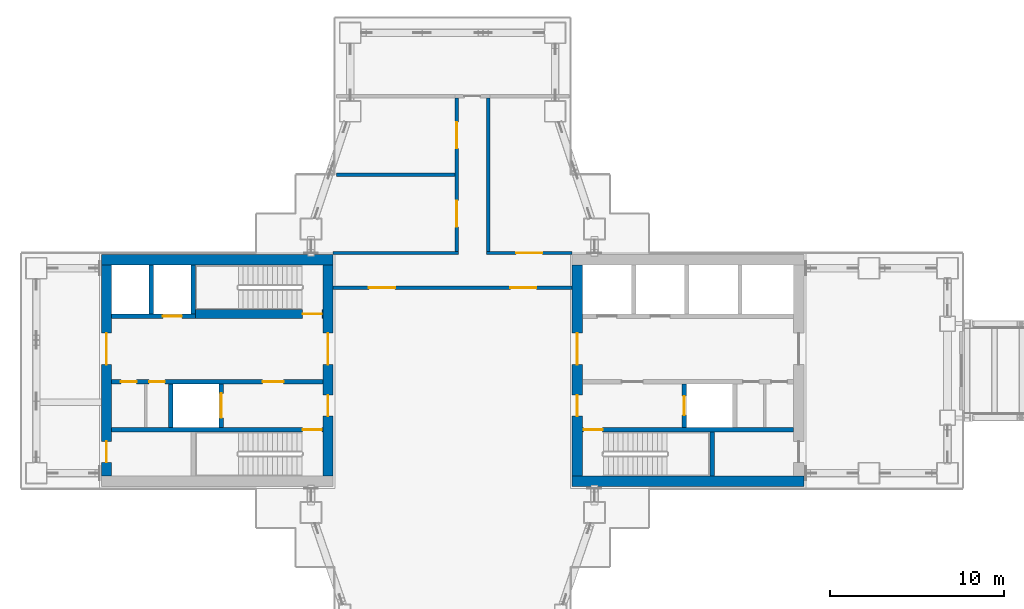
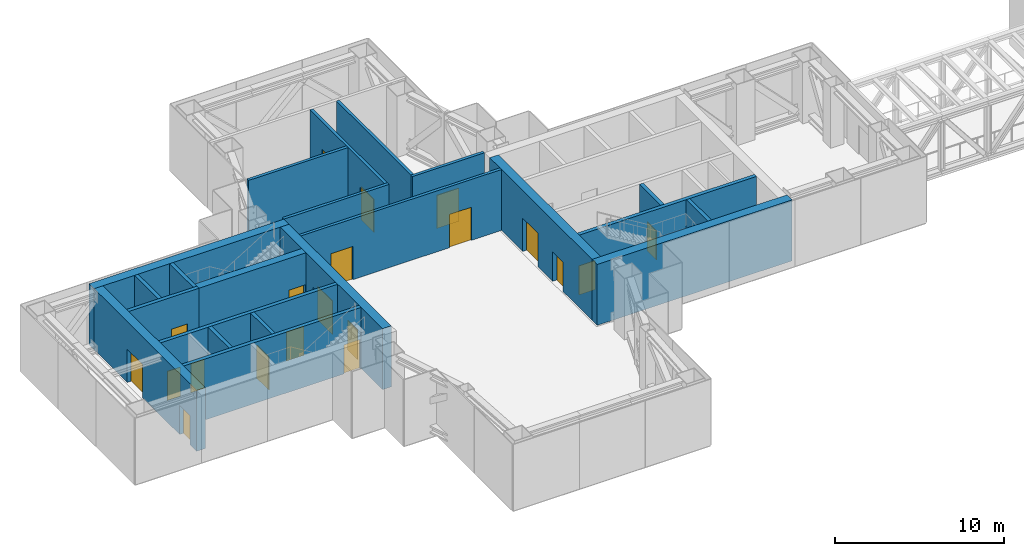
# One storey, part 10 of 21: 22 walls, 20 doors, 20 openings.
"""IFC4 building model written with IfcOpenShell, lengths in metres."""

from ifc_helpers import new_model, si_unit, direction, frame, frame_2d, origin, place, context, subcontext, project, spatial, rectangle, extrude, material, layer, layer_set, type_object, element, fill, save


model = new_model("IFC4")

# Units and contexts
model_context = context("Model", 3, precision=1e-05, world=origin(), true_north=direction((0.0, 1.0)))
body_context = subcontext(model_context, "Body", "Model", "MODEL_VIEW")
ifc_project = project(units=[si_unit("LENGTHUNIT", "METRE"), si_unit("AREAUNIT", "SQUARE_METRE"), si_unit("VOLUMEUNIT", "CUBIC_METRE"), si_unit("PLANEANGLEUNIT", "RADIAN"), si_unit("MASSUNIT", "GRAM", prefix="KILO")], contexts=[model_context])

# Site, building, storey
site_placement = place(None, origin())
site = spatial("IfcSite", under=ifc_project, at=site_placement, CompositionType="ELEMENT")
building_placement = place(site_placement, origin())
building = spatial("IfcBuilding", under=site, at=building_placement, Name="Shamsa Quay Exchange Towers", CompositionType="ELEMENT")
storey_placement = place(building_placement, frame((0.0, 0.0, 128.699951171875)))
storey = spatial("IfcBuildingStorey", under=building, at=storey_placement, Name="L30", CompositionType="ELEMENT", Elevation=128.699951171875)

# Wall
ifc_material_1 = material(Name="Concrete C70/85", Category="concrete")
ifc_layer_1 = layer(ifc_material_1, 0.60009765625)
ifc_layer_set_1 = layer_set([ifc_layer_1], Name="CORE WALL 600 C70/85")
wall_type_1 = type_object("IfcWallType", Name="CORE WALL 600 C70/85", PredefinedType="SHEAR", material=ifc_layer_set_1)
wall_1_placement = place(storey_placement, frame((-26.89990234375, -6.35009765625, 0.0)))
element("IfcWall", 1, at=wall_1_placement, inside=storey, type_object=wall_type_1, Name="Core wall T1A-L30-PS", PredefinedType="SHEAR", context=body_context, shape_type="SweptSolid", body=[
    extrude(rectangle(XDim=13.2998046875, YDim=0.60009765625, at=frame_2d((6.64990234375, 0.0))), origin(), (0.0, 0.0, 1.0), 4.400146484375),
])

# Wall, openings, doors
wall_2_placement = place(storey_placement, frame((-26.60009765625, 6.050048828125, 0.0), z_axis=(0.0, 0.0, 1.0), x_axis=(0.0, -1.0, 0.0)))
wall_2 = element("IfcWall", 2, at=wall_2_placement, inside=storey, type_object=wall_type_1, Name="Core wall T1A-L30-PF", PredefinedType="SHEAR", context=body_context, shape_type="SweptSolid", body=[
    extrude(rectangle(XDim=12.10009765625, YDim=0.60009765625, at=frame_2d((6.050048828125, 0.0))), origin(), (0.0, 0.0, 1.0), 4.400146484375),
])
opening_1_placement = place(wall_2_placement, frame((7.449951171875, 0.0, 0.0)))
opening_1 = element("IfcOpeningElement", 3, at=opening_1_placement, cuts=wall_2, Name="Opening T1A-L30-FD01", PredefinedType="OPENING", context=body_context, shape_type="SweptSolid", body=[
    extrude(rectangle(XDim=1.199951171875, YDim=2.10009765625, at=frame_2d((0.60009765625, 1.050048828125))), frame((0.0, 0.31005859375, 0.0), z_axis=(0.0, -1.0, 0.0), x_axis=(1.0, 0.0, 0.0)), (0.0, 0.0, 1.0), 0.6201171875),
])
opening_2_placement = place(wall_2_placement, frame((3.89990234375, 0.0, 0.0)))
opening_2 = element("IfcOpeningElement", 4, at=opening_2_placement, cuts=wall_2, Name="Opening T1A-L30-LBD02", PredefinedType="OPENING", context=body_context, shape_type="SweptSolid", body=[
    extrude(rectangle(XDim=1.800048828125, YDim=2.39990234375, at=frame_2d((0.89990234375, 1.199951171875))), frame((0.0, 0.31005859375, 0.0), z_axis=(0.0, -1.0, 0.0), x_axis=(1.0, 0.0, 0.0)), (0.0, 0.0, 1.0), 0.6201171875),
])
ifc_material_2 = material(Name="Steel, fire rated", Category="steel")
door_type_1 = type_object("IfcDoorType", Name="FIRE SERVICE LOBBY DOOR 1200", OperationType="SINGLE_SWING_LEFT", PredefinedType="DOOR", material=ifc_material_2)
door_1_placement = place(opening_1_placement, origin())
door_1 = element("IfcDoor", 5, at=door_1_placement, inside=storey, type_object=door_type_1, Name="T1A-L30-FD01", OperationType="SINGLE_SWING_RIGHT", OverallHeight=2.10009765625, OverallWidth=1.199951171875, PredefinedType="DOOR", context=body_context, shape_type="SweptSolid", body=[
    extrude(rectangle(XDim=1.199951171875, YDim=2.10009765625, at=frame_2d((0.60009765625, 1.050048828125))), frame((0.0, 0.02490234375, 0.0), z_axis=(0.0, -1.0, 0.0), x_axis=(1.0, 0.0, 0.0)), (0.0, 0.0, 1.0), 0.050048828125),
])
fill(opening_1, door_1)
door_type_2 = type_object("IfcDoorType", Name="LIFT LOBBY DOOR PAIR 1800", OperationType="DOUBLE_DOOR_SINGLE_SWING", PredefinedType="DOOR", material=ifc_material_2)
door_2_placement = place(opening_2_placement, origin())
door_2 = element("IfcDoor", 6, at=door_2_placement, inside=storey, type_object=door_type_2, Name="T1A-L30-LBD02", OperationType="DOUBLE_DOOR_SINGLE_SWING", OverallHeight=2.39990234375, OverallWidth=1.800048828125, PredefinedType="DOOR", context=body_context, shape_type="SweptSolid", body=[
    extrude(rectangle(XDim=1.800048828125, YDim=2.39990234375, at=frame_2d((0.89990234375, 1.199951171875))), frame((0.0, 0.02490234375, 0.0), z_axis=(0.0, -1.0, 0.0), x_axis=(1.0, 0.0, 0.0)), (0.0, 0.0, 1.0), 0.050048828125),
])
fill(opening_2, door_2)

# Wall
wall_3_placement = place(storey_placement, frame((-40.60009765625, 6.35009765625, 0.0), z_axis=(0.0, 0.0, 1.0), x_axis=(-1.0, 0.0, 0.0)))
element("IfcWall", 7, at=wall_3_placement, inside=storey, type_object=wall_type_1, Name="Core wall T1B-L30-PN", PredefinedType="SHEAR", context=body_context, shape_type="SweptSolid", body=[
    extrude(rectangle(XDim=13.2998046875, YDim=0.60009765625, at=frame_2d((6.64990234375, 0.0))), origin(), (0.0, 0.0, 1.0), 4.400146484375),
])

# Wall, openings, doors
wall_4_placement = place(storey_placement, frame((-40.89990234375, -6.050048828125, 0.0), z_axis=(0.0, 0.0, 1.0), x_axis=(0.0, 1.0, 0.0)))
wall_4 = element("IfcWall", 8, at=wall_4_placement, inside=storey, type_object=wall_type_1, Name="Core wall T1B-L30-PF", PredefinedType="SHEAR", context=body_context, shape_type="SweptSolid", body=[
    extrude(rectangle(XDim=12.10009765625, YDim=0.60009765625, at=frame_2d((6.050048828125, 0.0))), origin(), (0.0, 0.0, 1.0), 4.400146484375),
])
opening_3_placement = place(wall_4_placement, frame((3.449951171875, 0.0, 0.0)))
opening_3 = element("IfcOpeningElement", 9, at=opening_3_placement, cuts=wall_4, Name="Opening T1B-L30-FD01", PredefinedType="OPENING", context=body_context, shape_type="SweptSolid", body=[
    extrude(rectangle(XDim=1.199951171875, YDim=2.10009765625, at=frame_2d((0.60009765625, 1.050048828125))), frame((0.0, 0.31005859375, 0.0), z_axis=(0.0, -1.0, 0.0), x_axis=(1.0, 0.0, 0.0)), (0.0, 0.0, 1.0), 0.6201171875),
])
opening_4_placement = place(wall_4_placement, frame((6.39990234375, 0.0, 0.0)))
opening_4 = element("IfcOpeningElement", 10, at=opening_4_placement, cuts=wall_4, Name="Opening T1B-L30-LBD02", PredefinedType="OPENING", context=body_context, shape_type="SweptSolid", body=[
    extrude(rectangle(XDim=1.800048828125, YDim=2.39990234375, at=frame_2d((0.89990234375, 1.199951171875))), frame((0.0, 0.31005859375, 0.0), z_axis=(0.0, -1.0, 0.0), x_axis=(1.0, 0.0, 0.0)), (0.0, 0.0, 1.0), 0.6201171875),
])
door_3_placement = place(opening_3_placement, origin())
door_3 = element("IfcDoor", 11, at=door_3_placement, inside=storey, type_object=door_type_1, Name="T1B-L30-FD01", OperationType="SINGLE_SWING_LEFT", OverallHeight=2.10009765625, OverallWidth=1.199951171875, PredefinedType="DOOR", context=body_context, shape_type="SweptSolid", body=[
    extrude(rectangle(XDim=1.199951171875, YDim=2.10009765625, at=frame_2d((0.60009765625, 1.050048828125))), frame((0.0, 0.02490234375, 0.0), z_axis=(0.0, -1.0, 0.0), x_axis=(1.0, 0.0, 0.0)), (0.0, 0.0, 1.0), 0.050048828125),
])
fill(opening_3, door_3)
door_4_placement = place(opening_4_placement, origin())
door_4 = element("IfcDoor", 12, at=door_4_placement, inside=storey, type_object=door_type_2, Name="T1B-L30-LBD02", OperationType="DOUBLE_DOOR_SINGLE_SWING", OverallHeight=2.39990234375, OverallWidth=1.800048828125, PredefinedType="DOOR", context=body_context, shape_type="SweptSolid", body=[
    extrude(rectangle(XDim=1.800048828125, YDim=2.39990234375, at=frame_2d((0.89990234375, 1.199951171875))), frame((0.0, 0.02490234375, 0.0), z_axis=(0.0, -1.0, 0.0), x_axis=(1.0, 0.0, 0.0)), (0.0, 0.0, 1.0), 0.050048828125),
])
fill(opening_4, door_4)

wall_5_placement = place(storey_placement, frame((-53.60009765625, -6.050048828125, 0.0), z_axis=(0.0, 0.0, 1.0), x_axis=(0.0, 1.0, 0.0)))
wall_5 = element("IfcWall", 13, at=wall_5_placement, inside=storey, type_object=wall_type_1, Name="Core wall T1B-L30-PB", PredefinedType="SHEAR", context=body_context, shape_type="SweptSolid", body=[
    extrude(rectangle(XDim=12.10009765625, YDim=0.60009765625, at=frame_2d((6.050048828125, 0.0))), origin(), (0.0, 0.0, 1.0), 4.400146484375),
])
opening_5_placement = place(wall_5_placement, frame((0.800048828125, 0.0, 0.0)))
opening_5 = element("IfcOpeningElement", 14, at=opening_5_placement, cuts=wall_5, Name="Opening T1B-L30-RD03", PredefinedType="OPENING", context=body_context, shape_type="SweptSolid", body=[
    extrude(rectangle(XDim=1.199951171875, YDim=2.10009765625, at=frame_2d((0.60009765625, 1.050048828125))), frame((0.0, 0.31005859375, 0.0), z_axis=(0.0, -1.0, 0.0), x_axis=(1.0, 0.0, 0.0)), (0.0, 0.0, 1.0), 0.6201171875),
])
opening_6_placement = place(wall_5_placement, frame((6.39990234375, 0.0, 0.0)))
opening_6 = element("IfcOpeningElement", 15, at=opening_6_placement, cuts=wall_5, Name="Opening T1B-L30-LBD04", PredefinedType="OPENING", context=body_context, shape_type="SweptSolid", body=[
    extrude(rectangle(XDim=1.800048828125, YDim=2.39990234375, at=frame_2d((0.89990234375, 1.199951171875))), frame((0.0, 0.31005859375, 0.0), z_axis=(0.0, -1.0, 0.0), x_axis=(1.0, 0.0, 0.0)), (0.0, 0.0, 1.0), 0.6201171875),
])
door_5_placement = place(opening_6_placement, origin())
door_5 = element("IfcDoor", 16, at=door_5_placement, inside=storey, type_object=door_type_2, Name="T1B-L30-LBD04", OperationType="DOUBLE_DOOR_SINGLE_SWING", OverallHeight=2.39990234375, OverallWidth=1.800048828125, PredefinedType="DOOR", context=body_context, shape_type="SweptSolid", body=[
    extrude(rectangle(XDim=1.800048828125, YDim=2.39990234375, at=frame_2d((0.89990234375, 1.199951171875))), frame((0.0, 0.02490234375, 0.0), z_axis=(0.0, -1.0, 0.0), x_axis=(1.0, 0.0, 0.0)), (0.0, 0.0, 1.0), 0.050048828125),
])
fill(opening_6, door_5)
door_type_3 = type_object("IfcDoorType", Name="RISER ACCESS DOOR 1200", OperationType="SINGLE_SWING_LEFT", PredefinedType="DOOR", material=ifc_material_2)
door_6_placement = place(opening_5_placement, origin())
door_6 = element("IfcDoor", 17, at=door_6_placement, inside=storey, type_object=door_type_3, Name="T1B-L30-RD03", OperationType="SINGLE_SWING_LEFT", OverallHeight=2.10009765625, OverallWidth=1.199951171875, PredefinedType="DOOR", context=body_context, shape_type="SweptSolid", body=[
    extrude(rectangle(XDim=1.199951171875, YDim=2.10009765625, at=frame_2d((0.60009765625, 1.050048828125))), frame((0.0, 0.02490234375, 0.0), z_axis=(0.0, -1.0, 0.0), x_axis=(1.0, 0.0, 0.0)), (0.0, 0.0, 1.0), 0.050048828125),
])
fill(opening_5, door_6)

ifc_material_3 = material(Name="Gypsum board partition on metal studs")
ifc_layer_2 = layer(ifc_material_3, 0.199951171875)
ifc_layer_set_2 = layer_set([ifc_layer_2], Name="Partition 200 mm EI 120")
wall_type_2 = type_object("IfcWallType", Name="Partition 200 mm EI 120", PredefinedType="PARTITIONING", material=ifc_layer_set_2)
wall_6_placement = place(storey_placement, frame((-40.60009765625, 4.75, 0.0)))
wall_6 = element("IfcWall", 18, at=wall_6_placement, inside=storey, type_object=wall_type_2, Name="Partition T1-L30-W01", PredefinedType="PARTITIONING", context=body_context, shape_type="SweptSolid", body=[
    extrude(rectangle(XDim=13.7001953125, YDim=0.199951171875, at=frame_2d((6.85009765625, 0.0))), origin(), (0.0, 0.0, 1.0), 4.400146484375),
])
opening_7_placement = place(wall_6_placement, frame((2.050048828125, 0.0, 0.0)))
opening_7 = element("IfcOpeningElement", 19, at=opening_7_placement, cuts=wall_6, Name="Opening T1-L30-D01", PredefinedType="OPENING", context=body_context, shape_type="SweptSolid", body=[
    extrude(rectangle(XDim=1.5, YDim=2.39990234375, at=frame_2d((0.75, 1.199951171875))), frame((0.0, 0.10986328125, 0.0), z_axis=(0.0, -1.0, 0.0), x_axis=(1.0, 0.0, 0.0)), (0.0, 0.0, 1.0), 0.219970703125),
])
opening_8_placement = place(wall_6_placement, frame((10.14990234375, 0.0, 0.0)))
opening_8 = element("IfcOpeningElement", 20, at=opening_8_placement, cuts=wall_6, Name="Opening T1-L30-D02", PredefinedType="OPENING", context=body_context, shape_type="SweptSolid", body=[
    extrude(rectangle(XDim=1.5, YDim=2.39990234375, at=frame_2d((0.75, 1.199951171875))), frame((0.0, 0.10986328125, 0.0), z_axis=(0.0, -1.0, 0.0), x_axis=(1.0, 0.0, 0.0)), (0.0, 0.0, 1.0), 0.219970703125),
])
ifc_material_4 = material(Name="Timber door leaf in a metal frame", Category="wood")
door_type_4 = type_object("IfcDoorType", Name="Door 1500x2400 FD60 pair", OperationType="NOTDEFINED", PredefinedType="DOOR", material=ifc_material_4)
door_7_placement = place(opening_7_placement, origin())
door_7 = element("IfcDoor", 21, at=door_7_placement, inside=storey, type_object=door_type_4, Name="Door T1-L30-D01", OperationType="DOUBLE_DOOR_SINGLE_SWING", OverallHeight=2.39990234375, OverallWidth=1.5, PredefinedType="DOOR", context=body_context, shape_type="SweptSolid", body=[
    extrude(rectangle(XDim=1.5, YDim=2.39990234375, at=frame_2d((0.75, 1.199951171875))), frame((0.0, 0.02490234375, 0.0), z_axis=(0.0, -1.0, 0.0), x_axis=(1.0, 0.0, 0.0)), (0.0, 0.0, 1.0), 0.050048828125),
])
fill(opening_7, door_7)
door_8_placement = place(opening_8_placement, origin())
door_8 = element("IfcDoor", 22, at=door_8_placement, inside=storey, type_object=door_type_4, Name="Door T1-L30-D02", OperationType="DOUBLE_DOOR_SINGLE_SWING", OverallHeight=2.39990234375, OverallWidth=1.5, PredefinedType="DOOR", context=body_context, shape_type="SweptSolid", body=[
    extrude(rectangle(XDim=1.5, YDim=2.39990234375, at=frame_2d((0.75, 1.199951171875))), frame((0.0, 0.02490234375, 0.0), z_axis=(0.0, -1.0, 0.0), x_axis=(1.0, 0.0, 0.0)), (0.0, 0.0, 1.0), 0.050048828125),
])
fill(opening_8, door_8)

# Walls
wall_7_placement = place(storey_placement, frame((-31.724609375, 15.64990234375, 0.0), z_axis=(0.0, 0.0, 1.0), x_axis=(0.0, -1.0, 0.0)))
element("IfcWall", 23, at=wall_7_placement, inside=storey, type_object=wall_type_2, Name="Partition T1-L30-W02", PredefinedType="PARTITIONING", context=body_context, shape_type="SweptSolid", body=[
    extrude(rectangle(XDim=8.7998046875, YDim=0.199951171875, at=frame_2d((4.39990234375, 0.0))), origin(), (0.0, 0.0, 1.0), 4.400146484375),
])
wall_8_placement = place(storey_placement, frame((-40.60009765625, 6.75, 0.0)))
element("IfcWall", 24, at=wall_8_placement, inside=storey, type_object=wall_type_2, Name="Partition T1-L30-W03", PredefinedType="PARTITIONING", context=body_context, shape_type="SweptSolid", body=[
    extrude(rectangle(XDim=7.1748046875, YDim=0.199951171875, at=frame_2d((3.58740234375, 0.0))), origin(), (0.0, 0.0, 1.0), 4.400146484375),
])

# Wall, opening, door
wall_9_placement = place(storey_placement, frame((-31.82470703125, 6.75, 0.0)))
wall_9 = element("IfcWall", 25, at=wall_9_placement, inside=storey, type_object=wall_type_2, Name="Partition T1-L30-W04", PredefinedType="PARTITIONING", context=body_context, shape_type="SweptSolid", body=[
    extrude(rectangle(XDim=4.9248046875, YDim=0.199951171875, at=frame_2d((2.46240234375, 0.0))), origin(), (0.0, 0.0, 1.0), 4.400146484375),
])
opening_9_placement = place(wall_9_placement, frame((1.71240234375, 0.0, 0.0)))
opening_9 = element("IfcOpeningElement", 26, at=opening_9_placement, cuts=wall_9, Name="Opening T1-L30-D06", PredefinedType="OPENING", context=body_context, shape_type="SweptSolid", body=[
    extrude(rectangle(XDim=1.5, YDim=2.39990234375, at=frame_2d((0.75, 1.199951171875))), frame((0.0, 0.10986328125, 0.0), z_axis=(0.0, -1.0, 0.0), x_axis=(1.0, 0.0, 0.0)), (0.0, 0.0, 1.0), 0.219970703125),
])
door_9_placement = place(opening_9_placement, origin())
door_9 = element("IfcDoor", 27, at=door_9_placement, inside=storey, type_object=door_type_4, Name="Door T1-L30-D06", OperationType="DOUBLE_DOOR_SINGLE_SWING", OverallHeight=2.39990234375, OverallWidth=1.5, PredefinedType="DOOR", context=body_context, shape_type="SweptSolid", body=[
    extrude(rectangle(XDim=1.5, YDim=2.39990234375, at=frame_2d((0.75, 1.199951171875))), frame((0.0, 0.02490234375, 0.0), z_axis=(0.0, -1.0, 0.0), x_axis=(1.0, 0.0, 0.0)), (0.0, 0.0, 1.0), 0.050048828125),
])
fill(opening_9, door_9)

# Wall, openings, doors
wall_10_placement = place(storey_placement, frame((-33.525390625, 6.85009765625, 0.0), z_axis=(0.0, 0.0, 1.0), x_axis=(0.0, 1.0, 0.0)))
wall_10 = element("IfcWall", 28, at=wall_10_placement, inside=storey, type_object=wall_type_2, Name="Partition T1-L30-W05", PredefinedType="PARTITIONING", context=body_context, shape_type="SweptSolid", body=[
    extrude(rectangle(XDim=8.7998046875, YDim=0.199951171875, at=frame_2d((4.39990234375, 0.0))), origin(), (0.0, 0.0, 1.0), 4.400146484375),
])
opening_10_placement = place(wall_10_placement, frame((1.39990234375, 0.0, 0.0)))
opening_10 = element("IfcOpeningElement", 29, at=opening_10_placement, cuts=wall_10, Name="Opening T1-L30-D03", PredefinedType="OPENING", context=body_context, shape_type="SweptSolid", body=[
    extrude(rectangle(XDim=1.5, YDim=2.39990234375, at=frame_2d((0.75, 1.199951171875))), frame((0.0, 0.10986328125, 0.0), z_axis=(0.0, -1.0, 0.0), x_axis=(1.0, 0.0, 0.0)), (0.0, 0.0, 1.0), 0.219970703125),
])
opening_11_placement = place(wall_10_placement, frame((5.89990234375, 0.0, 0.0)))
opening_11 = element("IfcOpeningElement", 30, at=opening_11_placement, cuts=wall_10, Name="Opening T1-L30-D04", PredefinedType="OPENING", context=body_context, shape_type="SweptSolid", body=[
    extrude(rectangle(XDim=1.5, YDim=2.39990234375, at=frame_2d((0.75, 1.199951171875))), frame((0.0, 0.10986328125, 0.0), z_axis=(0.0, -1.0, 0.0), x_axis=(1.0, 0.0, 0.0)), (0.0, 0.0, 1.0), 0.219970703125),
])
door_10_placement = place(opening_10_placement, origin())
door_10 = element("IfcDoor", 31, at=door_10_placement, inside=storey, type_object=door_type_4, Name="Door T1-L30-D03", OperationType="DOUBLE_DOOR_SINGLE_SWING", OverallHeight=2.39990234375, OverallWidth=1.5, PredefinedType="DOOR", context=body_context, shape_type="SweptSolid", body=[
    extrude(rectangle(XDim=1.5, YDim=2.39990234375, at=frame_2d((0.75, 1.199951171875))), frame((0.0, 0.02490234375, 0.0), z_axis=(0.0, -1.0, 0.0), x_axis=(1.0, 0.0, 0.0)), (0.0, 0.0, 1.0), 0.050048828125),
])
fill(opening_10, door_10)
door_11_placement = place(opening_11_placement, origin())
door_11 = element("IfcDoor", 32, at=door_11_placement, inside=storey, type_object=door_type_4, Name="Door T1-L30-D04", OperationType="DOUBLE_DOOR_SINGLE_SWING", OverallHeight=2.39990234375, OverallWidth=1.5, PredefinedType="DOOR", context=body_context, shape_type="SweptSolid", body=[
    extrude(rectangle(XDim=1.5, YDim=2.39990234375, at=frame_2d((0.75, 1.199951171875))), frame((0.0, 0.02490234375, 0.0), z_axis=(0.0, -1.0, 0.0), x_axis=(1.0, 0.0, 0.0)), (0.0, 0.0, 1.0), 0.050048828125),
])
fill(opening_11, door_11)

# Wall
wall_11_placement = place(storey_placement, frame((-33.62548828125, 11.25, 0.0), z_axis=(0.0, 0.0, 1.0), x_axis=(-1.0, 0.0, 0.0)))
element("IfcWall", 33, at=wall_11_placement, inside=storey, type_object=wall_type_2, Name="Partition T1-L30-W09", PredefinedType="PARTITIONING", context=body_context, shape_type="SweptSolid", body=[
    extrude(rectangle(XDim=6.779541015625, YDim=0.199951171875, at=frame_2d((3.3896484375, 0.0))), origin(), (0.0, 0.0, 1.0), 4.400146484375),
])

# Wall, opening, door
ifc_material_5 = material(Name="Concrete C50/60", Category="concrete")
ifc_layer_3 = layer(ifc_material_5, 0.25)
ifc_layer_set_3 = layer_set([ifc_layer_3], Name="SHAFT WALL 250 C50/60")
wall_type_3 = type_object("IfcWallType", Name="SHAFT WALL 250 C50/60", PredefinedType="SHEAR", material=ifc_layer_set_3)
wall_12_placement = place(storey_placement, frame((-14.199951171875, -3.375, 0.0), z_axis=(0.0, 0.0, 1.0), x_axis=(-1.0, 0.0, 0.0)))
wall_12 = element("IfcWall", 34, at=wall_12_placement, inside=storey, type_object=wall_type_3, Name="Shaft wall T1A-L30-STL", PredefinedType="SHEAR", context=body_context, shape_type="SweptSolid", body=[
    extrude(rectangle(XDim=12.10009765625, YDim=0.25, at=frame_2d((6.050048828125, 0.0))), origin(), (0.0, 0.0, 1.0), 4.400146484375),
])
opening_12_placement = place(wall_12_placement, frame((10.949951171875, 0.0, 0.0)))
opening_12 = element("IfcOpeningElement", 35, at=opening_12_placement, cuts=wall_12, Name="Opening T1A-L30-SD05", PredefinedType="OPENING", context=body_context, shape_type="SweptSolid", body=[
    extrude(rectangle(XDim=1.10009765625, YDim=2.10009765625, at=frame_2d((0.550048828125, 1.050048828125))), frame((0.0, 0.135009765625, 0.0), z_axis=(0.0, -1.0, 0.0), x_axis=(1.0, 0.0, 0.0)), (0.0, 0.0, 1.0), 0.27001953125),
])
door_type_5 = type_object("IfcDoorType", Name="STAIR DOOR 1100", OperationType="SINGLE_SWING_LEFT", PredefinedType="DOOR", material=ifc_material_2)
door_12_placement = place(opening_12_placement, origin())
door_12 = element("IfcDoor", 36, at=door_12_placement, inside=storey, type_object=door_type_5, Name="T1A-L30-SD05", OperationType="SINGLE_SWING_RIGHT", OverallHeight=2.10009765625, OverallWidth=1.10009765625, PredefinedType="DOOR", context=body_context, shape_type="SweptSolid", body=[
    extrude(rectangle(XDim=1.10009765625, YDim=2.10009765625, at=frame_2d((0.550048828125, 1.050048828125))), frame((0.0, 0.02490234375, 0.0), z_axis=(0.0, -1.0, 0.0), x_axis=(1.0, 0.0, 0.0)), (0.0, 0.0, 1.0), 0.050048828125),
])
fill(opening_12, door_12)

# Wall
wall_13_placement = place(storey_placement, frame((-18.875, -6.050048828125, 0.0), z_axis=(0.0, 0.0, 1.0), x_axis=(0.0, 1.0, 0.0)))
element("IfcWall", 37, at=wall_13_placement, inside=storey, type_object=wall_type_3, Name="Shaft wall T1A-L30-STF", PredefinedType="SHEAR", context=body_context, shape_type="SweptSolid", body=[
    extrude(rectangle(XDim=2.550048828125, YDim=0.25, at=frame_2d((1.27490234375, 0.0))), origin(), (0.0, 0.0, 1.0), 4.400146484375),
])

# Wall, opening, door
wall_14_placement = place(storey_placement, frame((-20.47509765625, -3.25, 0.0), z_axis=(0.0, 0.0, 1.0), x_axis=(0.0, 1.0, 0.0)))
wall_14 = element("IfcWall", 38, at=wall_14_placement, inside=storey, type_object=wall_type_3, Name="Shaft wall T1A-L30-FFF", PredefinedType="SHEAR", context=body_context, shape_type="SweptSolid", body=[
    extrude(rectangle(XDim=2.5, YDim=0.25, at=frame_2d((1.25, 0.0))), origin(), (0.0, 0.0, 1.0), 4.400146484375),
])
opening_13_placement = place(wall_14_placement, frame((0.699951171875, 0.0, 0.0)))
opening_13 = element("IfcOpeningElement", 39, at=opening_13_placement, cuts=wall_14, Name="Opening T1A-L30-LDF09", PredefinedType="OPENING", context=body_context, shape_type="SweptSolid", body=[
    extrude(rectangle(XDim=1.10009765625, YDim=2.10009765625, at=frame_2d((0.550048828125, 1.050048828125))), frame((0.0, 0.135009765625, 0.0), z_axis=(0.0, -1.0, 0.0), x_axis=(1.0, 0.0, 0.0)), (0.0, 0.0, 1.0), 0.27001953125),
])
door_type_6 = type_object("IfcDoorType", Name="FIRE SERVICE LANDING DOOR 1100", OperationType="SLIDING_TO_LEFT", PredefinedType="DOOR", material=ifc_material_2)
door_13_placement = place(opening_13_placement, origin())
door_13 = element("IfcDoor", 40, at=door_13_placement, inside=storey, type_object=door_type_6, Name="T1A-L30-LDF09", OperationType="SLIDING_TO_LEFT", OverallHeight=2.10009765625, OverallWidth=1.10009765625, PredefinedType="DOOR", context=body_context, shape_type="SweptSolid", body=[
    extrude(rectangle(XDim=1.10009765625, YDim=2.10009765625, at=frame_2d((0.550048828125, 1.050048828125))), frame((0.0, 0.02490234375, 0.0), z_axis=(0.0, -1.0, 0.0), x_axis=(1.0, 0.0, 0.0)), (0.0, 0.0, 1.0), 0.050048828125),
])
fill(opening_13, door_13)

wall_15_placement = place(storey_placement, frame((-41.199951171875, -3.375, 0.0), z_axis=(0.0, 0.0, 1.0), x_axis=(-1.0, 0.0, 0.0)))
wall_15 = element("IfcWall", 41, at=wall_15_placement, inside=storey, type_object=wall_type_3, Name="Shaft wall T1B-L30-STL", PredefinedType="SHEAR", context=body_context, shape_type="SweptSolid", body=[
    extrude(rectangle(XDim=12.10009765625, YDim=0.25, at=frame_2d((6.050048828125, 0.0))), origin(), (0.0, 0.0, 1.0), 4.400146484375),
])
opening_14_placement = place(wall_15_placement, frame((0.050048828125, 0.0, 0.0)))
opening_14 = element("IfcOpeningElement", 42, at=opening_14_placement, cuts=wall_15, Name="Opening T1B-L30-SD05", PredefinedType="OPENING", context=body_context, shape_type="SweptSolid", body=[
    extrude(rectangle(XDim=1.10009765625, YDim=2.10009765625, at=frame_2d((0.550048828125, 1.050048828125))), frame((0.0, 0.135009765625, 0.0), z_axis=(0.0, -1.0, 0.0), x_axis=(1.0, 0.0, 0.0)), (0.0, 0.0, 1.0), 0.27001953125),
])
door_14_placement = place(opening_14_placement, origin())
door_14 = element("IfcDoor", 43, at=door_14_placement, inside=storey, type_object=door_type_5, Name="T1B-L30-SD05", OperationType="SINGLE_SWING_LEFT", OverallHeight=2.10009765625, OverallWidth=1.10009765625, PredefinedType="DOOR", context=body_context, shape_type="SweptSolid", body=[
    extrude(rectangle(XDim=1.10009765625, YDim=2.10009765625, at=frame_2d((0.550048828125, 1.050048828125))), frame((0.0, 0.02490234375, 0.0), z_axis=(0.0, -1.0, 0.0), x_axis=(1.0, 0.0, 0.0)), (0.0, 0.0, 1.0), 0.050048828125),
])
fill(opening_14, door_14)

# Wall, openings, doors
wall_16_placement = place(storey_placement, frame((-41.199951171875, -0.625, 0.0), z_axis=(0.0, 0.0, 1.0), x_axis=(-1.0, 0.0, 0.0)))
wall_16 = element("IfcWall", 44, at=wall_16_placement, inside=storey, type_object=wall_type_3, Name="Shaft wall T1B-L30-B", PredefinedType="SHEAR", context=body_context, shape_type="SweptSolid", body=[
    extrude(rectangle(XDim=12.10009765625, YDim=0.25, at=frame_2d((6.050048828125, 0.0))), origin(), (0.0, 0.0, 1.0), 4.400146484375),
])
opening_15_placement = place(wall_16_placement, frame((2.25, 0.0, 0.0)))
opening_15 = element("IfcOpeningElement", 45, at=opening_15_placement, cuts=wall_16, Name="Opening T1B-L30-FD06", PredefinedType="OPENING", context=body_context, shape_type="SweptSolid", body=[
    extrude(rectangle(XDim=1.199951171875, YDim=2.10009765625, at=frame_2d((0.60009765625, 1.050048828125))), frame((0.0, 0.135009765625, 0.0), z_axis=(0.0, -1.0, 0.0), x_axis=(1.0, 0.0, 0.0)), (0.0, 0.0, 1.0), 0.27001953125),
])
opening_16_placement = place(wall_16_placement, frame((9.050048828125, 0.0, 0.0)))
opening_16 = element("IfcOpeningElement", 46, at=opening_16_placement, cuts=wall_16, Name="Opening T1B-L30-SV07", PredefinedType="OPENING", context=body_context, shape_type="SweptSolid", body=[
    extrude(rectangle(XDim=0.89990234375, YDim=2.10009765625, at=frame_2d((0.449951171875, 1.050048828125))), frame((0.0, 0.135009765625, 0.0), z_axis=(0.0, -1.0, 0.0), x_axis=(1.0, 0.0, 0.0)), (0.0, 0.0, 1.0), 0.27001953125),
])
opening_17_placement = place(wall_16_placement, frame((10.675048828125, 0.0, 0.0)))
opening_17 = element("IfcOpeningElement", 47, at=opening_17_placement, cuts=wall_16, Name="Opening T1B-L30-SV08", PredefinedType="OPENING", context=body_context, shape_type="SweptSolid", body=[
    extrude(rectangle(XDim=0.89990234375, YDim=2.10009765625, at=frame_2d((0.449951171875, 1.050048828125))), frame((0.0, 0.135009765625, 0.0), z_axis=(0.0, -1.0, 0.0), x_axis=(1.0, 0.0, 0.0)), (0.0, 0.0, 1.0), 0.27001953125),
])
door_15_placement = place(opening_15_placement, origin())
door_15 = element("IfcDoor", 48, at=door_15_placement, inside=storey, type_object=door_type_1, Name="T1B-L30-FD06", OperationType="SINGLE_SWING_LEFT", OverallHeight=2.10009765625, OverallWidth=1.199951171875, PredefinedType="DOOR", context=body_context, shape_type="SweptSolid", body=[
    extrude(rectangle(XDim=1.199951171875, YDim=2.10009765625, at=frame_2d((0.60009765625, 1.050048828125))), frame((0.0, 0.02490234375, 0.0), z_axis=(0.0, -1.0, 0.0), x_axis=(1.0, 0.0, 0.0)), (0.0, 0.0, 1.0), 0.050048828125),
])
fill(opening_15, door_15)
door_type_7 = type_object("IfcDoorType", Name="SERVICE ROOM DOOR 900", OperationType="SINGLE_SWING_LEFT", PredefinedType="DOOR", material=ifc_material_2)
door_16_placement = place(opening_16_placement, origin())
door_16 = element("IfcDoor", 49, at=door_16_placement, inside=storey, type_object=door_type_7, Name="T1B-L30-SV07", OperationType="SINGLE_SWING_RIGHT", OverallHeight=2.10009765625, OverallWidth=0.89990234375, PredefinedType="DOOR", context=body_context, shape_type="SweptSolid", body=[
    extrude(rectangle(XDim=0.89990234375, YDim=2.10009765625, at=frame_2d((0.449951171875, 1.050048828125))), frame((0.0, 0.02490234375, 0.0), z_axis=(0.0, -1.0, 0.0), x_axis=(1.0, 0.0, 0.0)), (0.0, 0.0, 1.0), 0.050048828125),
])
fill(opening_16, door_16)
door_17_placement = place(opening_17_placement, origin())
door_17 = element("IfcDoor", 50, at=door_17_placement, inside=storey, type_object=door_type_7, Name="T1B-L30-SV08", OperationType="SINGLE_SWING_RIGHT", OverallHeight=2.10009765625, OverallWidth=0.89990234375, PredefinedType="DOOR", context=body_context, shape_type="SweptSolid", body=[
    extrude(rectangle(XDim=0.89990234375, YDim=2.10009765625, at=frame_2d((0.449951171875, 1.050048828125))), frame((0.0, 0.02490234375, 0.0), z_axis=(0.0, -1.0, 0.0), x_axis=(1.0, 0.0, 0.0)), (0.0, 0.0, 1.0), 0.050048828125),
])
fill(opening_17, door_17)

# Wall, opening, door
wall_17_placement = place(storey_placement, frame((-47.02490234375, -3.25, 0.0), z_axis=(0.0, 0.0, 1.0), x_axis=(0.0, 1.0, 0.0)))
wall_17 = element("IfcWall", 51, at=wall_17_placement, inside=storey, type_object=wall_type_3, Name="Shaft wall T1B-L30-FFF", PredefinedType="SHEAR", context=body_context, shape_type="SweptSolid", body=[
    extrude(rectangle(XDim=2.5, YDim=0.25, at=frame_2d((1.25, 0.0))), origin(), (0.0, 0.0, 1.0), 4.400146484375),
])
opening_18_placement = place(wall_17_placement, frame((0.550048828125, 0.0, 0.0)))
opening_18 = element("IfcOpeningElement", 52, at=opening_18_placement, cuts=wall_17, Name="Opening T1B-L30-LDG09", PredefinedType="OPENING", context=body_context, shape_type="SweptSolid", body=[
    extrude(rectangle(XDim=1.39990234375, YDim=2.39990234375, at=frame_2d((0.699951171875, 1.199951171875))), frame((0.0, 0.135009765625, 0.0), z_axis=(0.0, -1.0, 0.0), x_axis=(1.0, 0.0, 0.0)), (0.0, 0.0, 1.0), 0.27001953125),
])
door_type_8 = type_object("IfcDoorType", Name="GOODS LIFT LANDING DOOR 1400", OperationType="SLIDING_TO_LEFT", PredefinedType="DOOR", material=ifc_material_2)
door_18_placement = place(opening_18_placement, origin())
door_18 = element("IfcDoor", 53, at=door_18_placement, inside=storey, type_object=door_type_8, Name="T1B-L30-LDG09", OperationType="SLIDING_TO_LEFT", OverallHeight=2.39990234375, OverallWidth=1.39990234375, PredefinedType="DOOR", context=body_context, shape_type="SweptSolid", body=[
    extrude(rectangle(XDim=1.39990234375, YDim=2.39990234375, at=frame_2d((0.699951171875, 1.199951171875))), frame((0.0, 0.02490234375, 0.0), z_axis=(0.0, -1.0, 0.0), x_axis=(1.0, 0.0, 0.0)), (0.0, 0.0, 1.0), 0.050048828125),
])
fill(opening_18, door_18)

# Wall
wall_18_placement = place(storey_placement, frame((-49.925048828125, -3.25, 0.0), z_axis=(0.0, 0.0, 1.0), x_axis=(0.0, 1.0, 0.0)))
element("IfcWall", 54, at=wall_18_placement, inside=storey, type_object=wall_type_3, Name="Shaft wall T1B-L30-FFB", PredefinedType="SHEAR", context=body_context, shape_type="SweptSolid", body=[
    extrude(rectangle(XDim=2.5, YDim=0.25, at=frame_2d((1.25, 0.0))), origin(), (0.0, 0.0, 1.0), 4.400146484375),
])

# Wall, opening, door
wall_19_placement = place(storey_placement, frame((-48.5, 3.125, 0.0), z_axis=(0.0, 0.0, 1.0), x_axis=(-1.0, 0.0, 0.0)))
wall_19 = element("IfcWall", 55, at=wall_19_placement, inside=storey, type_object=wall_type_3, Name="Shaft wall T1B-L30-N2", PredefinedType="SHEAR", context=body_context, shape_type="SweptSolid", body=[
    extrude(rectangle(XDim=4.800048828125, YDim=0.25, at=frame_2d((2.39990234375, 0.0))), origin(), (0.0, 0.0, 1.0), 4.400146484375),
])
opening_19_placement = place(wall_19_placement, frame((0.77490234375, 0.0, 0.0)))
opening_19 = element("IfcOpeningElement", 56, at=opening_19_placement, cuts=wall_19, Name="Opening T1B-L30-LD11", PredefinedType="OPENING", context=body_context, shape_type="SweptSolid", body=[
    extrude(rectangle(XDim=1.10009765625, YDim=2.10009765625, at=frame_2d((0.550048828125, 1.050048828125))), frame((0.0, 0.135009765625, 0.0), z_axis=(0.0, -1.0, 0.0), x_axis=(1.0, 0.0, 0.0)), (0.0, 0.0, 1.0), 0.27001953125),
])
door_type_9 = type_object("IfcDoorType", Name="LANDING DOOR 1100", OperationType="SLIDING_TO_LEFT", PredefinedType="DOOR", material=ifc_material_2)
door_19_placement = place(opening_19_placement, origin())
door_19 = element("IfcDoor", 57, at=door_19_placement, inside=storey, type_object=door_type_9, Name="T1B-L30-LD11", OperationType="SLIDING_TO_LEFT", OverallHeight=2.10009765625, OverallWidth=1.10009765625, PredefinedType="DOOR", context=body_context, shape_type="SweptSolid", body=[
    extrude(rectangle(XDim=1.10009765625, YDim=2.10009765625, at=frame_2d((0.550048828125, 1.050048828125))), frame((0.0, 0.02490234375, 0.0), z_axis=(0.0, -1.0, 0.0), x_axis=(1.0, 0.0, 0.0)), (0.0, 0.0, 1.0), 0.050048828125),
])
fill(opening_19, door_19)

# Walls
for number, where, z_axis, x_axis, name in (
    (58, (-48.625, 3.25, 0.0), (0.0, 0.0, 1.0), (0.0, 1.0, 0.0), "Shaft wall T1B-L30-STF2"),
    (59, (-51.02490234375, 3.25, 0.0), (0.0, 0.0, 1.0), (0.0, 1.0, 0.0), "Shaft wall T1B-L30-D0"),
):
    element("IfcWall", number, at=place(storey_placement, frame(where, z_axis=z_axis, x_axis=x_axis)), inside=storey, type_object=wall_type_3, Name=name, PredefinedType="SHEAR", context=body_context, shape_type="SweptSolid", body=[
        extrude(rectangle(XDim=2.800048828125, YDim=0.25, at=frame_2d((1.39990234375, 0.0))), origin(), (0.0, 0.0, 1.0), 4.400146484375),
    ])

# Wall, opening, door
ifc_layer_4 = layer(ifc_material_5, 0.5)
ifc_layer_set_4 = layer_set([ifc_layer_4], Name="SHAFT WALL 500 C50/60")
wall_type_4 = type_object("IfcWallType", Name="SHAFT WALL 500 C50/60", PredefinedType="SHEAR", material=ifc_layer_set_4)
wall_20_placement = place(storey_placement, frame((-48.5, 3.25, 0.0)))
wall_20 = element("IfcWall", 60, at=wall_20_placement, inside=storey, type_object=wall_type_4, Name="Shaft wall T1B-L30-N", PredefinedType="SHEAR", context=body_context, shape_type="SweptSolid", body=[
    extrude(rectangle(XDim=7.300048828125, YDim=0.5, at=frame_2d((3.64990234375, 0.0))), origin(), (0.0, 0.0, 1.0), 4.400146484375),
])
opening_20_placement = place(wall_20_placement, frame((6.14990234375, 0.0, 0.0)))
opening_20 = element("IfcOpeningElement", 61, at=opening_20_placement, cuts=wall_20, Name="Opening T1B-L30-SD10", PredefinedType="OPENING", context=body_context, shape_type="SweptSolid", body=[
    extrude(rectangle(XDim=1.10009765625, YDim=2.10009765625, at=frame_2d((0.550048828125, 1.050048828125))), frame((0.0, 0.260009765625, 0.0), z_axis=(0.0, -1.0, 0.0), x_axis=(1.0, 0.0, 0.0)), (0.0, 0.0, 1.0), 0.52001953125),
])
door_20_placement = place(opening_20_placement, origin())
door_20 = element("IfcDoor", 62, at=door_20_placement, inside=storey, type_object=door_type_5, Name="T1B-L30-SD10", OperationType="SINGLE_SWING_RIGHT", OverallHeight=2.10009765625, OverallWidth=1.10009765625, PredefinedType="DOOR", context=body_context, shape_type="SweptSolid", body=[
    extrude(rectangle(XDim=1.10009765625, YDim=2.10009765625, at=frame_2d((0.550048828125, 1.050048828125))), frame((0.0, 0.02490234375, 0.0), z_axis=(0.0, -1.0, 0.0), x_axis=(1.0, 0.0, 0.0)), (0.0, 0.0, 1.0), 0.050048828125),
])
fill(opening_20, door_20)

save(model, "model.ifc")
